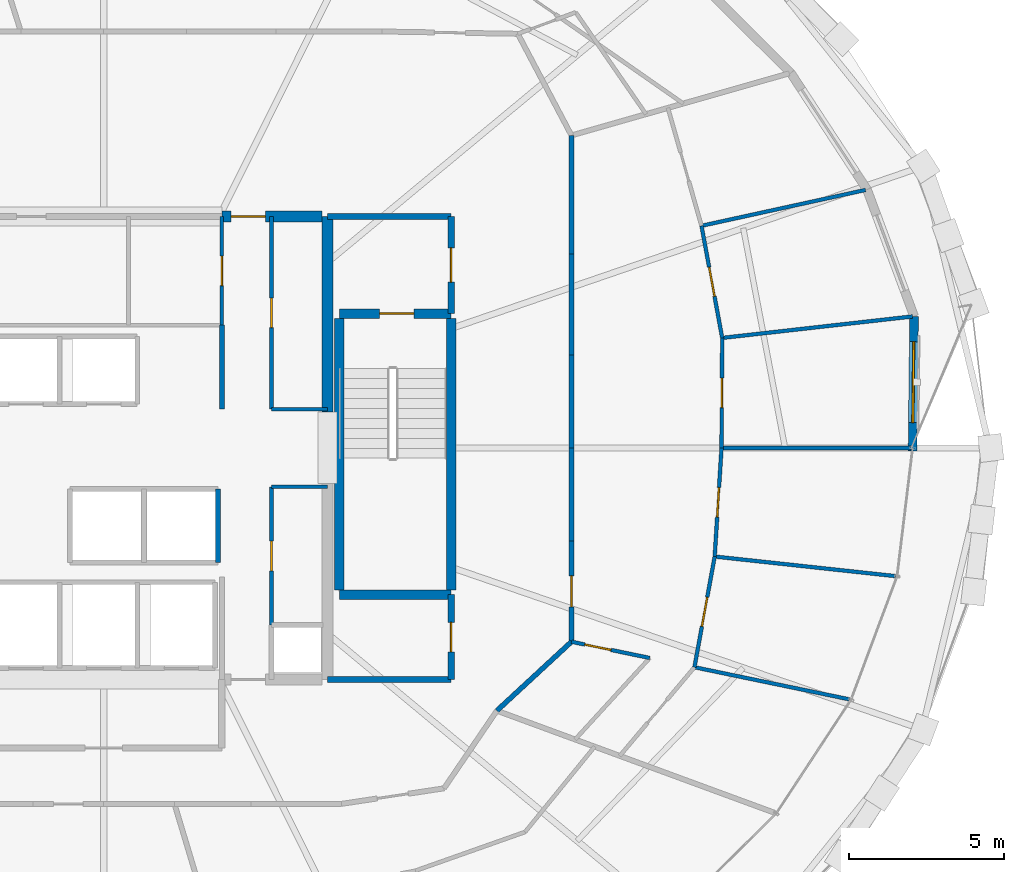
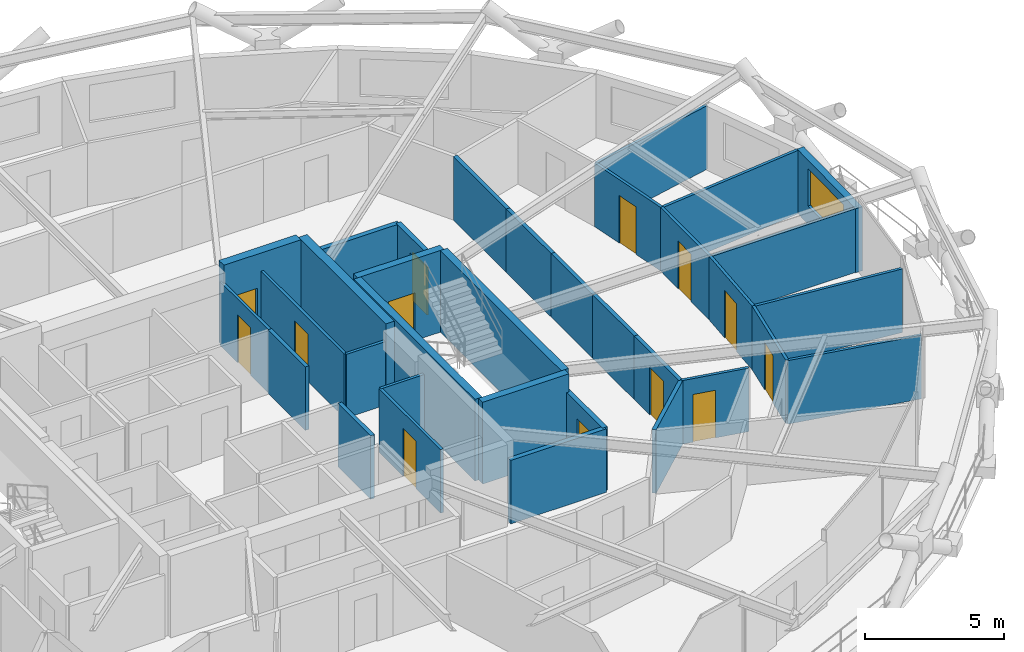
# One storey, part 15 of 20: 34 walls, 13 doors, 1 window, 14 openings.
"""IFC4 building model written with IfcOpenShell, lengths in metres."""

from ifc_helpers import new_model, si_unit, direction, frame, frame_2d, origin, place, context, subcontext, project, spatial, rectangle, extrude, material, layer, layer_set, type_object, element, fill, save


model = new_model("IFC4")

# Units and contexts
model_context = context("Model", 3, precision=1e-05, world=origin(), true_north=direction((0.0, 1.0)))
body_context = subcontext(model_context, "Body", "Model", "MODEL_VIEW")
ifc_project = project(units=[si_unit("LENGTHUNIT", "METRE"), si_unit("AREAUNIT", "SQUARE_METRE"), si_unit("VOLUMEUNIT", "CUBIC_METRE"), si_unit("PLANEANGLEUNIT", "RADIAN"), si_unit("MASSUNIT", "GRAM", prefix="KILO")], contexts=[model_context])

# Site, building, storey
site_placement = place(None, origin())
site = spatial("IfcSite", under=ifc_project, at=site_placement, CompositionType="ELEMENT")
building_placement = place(site_placement, origin())
building = spatial("IfcBuilding", under=site, at=building_placement, Name="Veldorina Hangang Commons", CompositionType="ELEMENT")
storey_placement = place(building_placement, frame((0.0, 0.0, 131.60009765625)))
storey = spatial("IfcBuildingStorey", under=building, at=storey_placement, Name="L33", CompositionType="ELEMENT", Elevation=131.60009765625)

# Wall
ifc_material_1 = material(Name="Concrete C60/75", Category="concrete")
ifc_layer_1 = layer(ifc_material_1, 0.360107421875)
ifc_layer_set_1 = layer_set([ifc_layer_1], Name="Concrete C60/75")
wall_type_1 = type_object("IfcWallType", Name="CW-RC360-C60", PredefinedType="SHEAR", material=ifc_layer_set_1)
wall_1_placement = place(storey_placement, frame((39.199951171875, 25.14990234375, 0.0), z_axis=(0.0, 0.0, 1.0), x_axis=(0.0, 1.0, 0.0)))
element("IfcWall", 1, at=wall_1_placement, inside=storey, type_object=wall_type_1, Name="L33 E north core shear wall", PredefinedType="SHEAR", context=body_context, shape_type="SweptSolid", body=[
    extrude(rectangle(XDim=6.300048828125, YDim=0.360107421875, at=frame_2d((3.14990234375, 0.0))), origin(), (0.0, 0.0, 1.0), 3.599853515625),
])

# Wall, opening, door
wall_2_placement = place(storey_placement, frame((35.800048828125, 31.449951171875, 0.0), z_axis=(0.0, 0.0, 1.0), x_axis=(1.0, 0.0, 0.0)))
wall_2 = element("IfcWall", 2, at=wall_2_placement, inside=storey, type_object=wall_type_1, Name="L33 north-east core shear wall", PredefinedType="SHEAR", context=body_context, shape_type="SweptSolid", body=[
    extrude(rectangle(XDim=3.219970703125, YDim=0.360107421875, at=frame_2d((1.60986328125, 0.0))), origin(), (0.0, 0.0, 1.0), 3.599853515625),
])
opening_1_placement = place(wall_2_placement, frame((0.300048828125, 0.0, 0.0)))
opening_1 = element("IfcOpeningElement", 3, at=opening_1_placement, cuts=wall_2, Name="Opening D-08", PredefinedType="OPENING", context=body_context, shape_type="SweptSolid", body=[
    extrude(rectangle(XDim=1.10009765625, YDim=2.10009765625, at=frame_2d((0.550048828125, 1.050048828125))), frame((0.0, 0.18994140625, 0.0), z_axis=(0.0, -1.0, 0.0), x_axis=(1.0, 0.0, 0.0)), (0.0, 0.0, 1.0), 0.380126953125),
])
ifc_material_2 = material(Name="Steel Fire-Rated Smoke Seal", Category="steel")
door_type_1 = type_object("IfcDoorType", Name="DR-FIRE-1100", OperationType="SINGLE_SWING_RIGHT", PredefinedType="DOOR", material=ifc_material_2)
door_1_placement = place(opening_1_placement, origin())
door_1 = element("IfcDoor", 4, at=door_1_placement, inside=storey, type_object=door_type_1, Name="L33 central lift lobby north corridor door", OperationType="SINGLE_SWING_LEFT", OverallHeight=2.10009765625, OverallWidth=1.10009765625, PredefinedType="DOOR", context=body_context, shape_type="SweptSolid", body=[
    extrude(rectangle(XDim=1.10009765625, YDim=2.10009765625, at=frame_2d((0.550048828125, 1.050048828125))), frame((0.0, 0.02490234375, 0.0), z_axis=(0.0, -1.0, 0.0), x_axis=(1.0, 0.0, 0.0)), (0.0, 0.0, 1.0), 0.050048828125),
])
fill(opening_1, door_1)

# Wall, opening, window
ifc_material_3 = material(Name="Stone Roman Travertine", Category="masonry")
ifc_layer_2 = layer(ifc_material_3, 0.280029296875)
ifc_layer_set_2 = layer_set([ifc_layer_2], Name="Stone Roman Travertine")
wall_type_2 = type_object("IfcWallType", Name="EW-TRAV-280", PredefinedType="STANDARD", material=ifc_layer_set_2)
wall_3_placement = place(storey_placement, frame((58.022705078125, 23.907958984375, 0.0), z_axis=(0.0, 0.0, 1.0), x_axis=(0.011615321034, 0.999932539883, 0.0)))
wall_3 = element("IfcWall", 5, at=wall_3_placement, inside=storey, type_object=wall_type_2, Name="L33 travertine facade wall 00", PredefinedType="STANDARD", context=body_context, shape_type="SweptSolid", body=[
    extrude(rectangle(XDim=4.329833984375, YDim=0.280029296875, at=frame_2d((2.1650390625, 0.0))), origin(), (0.0, 0.0, 1.0), 2.81982421875),
])
opening_2_placement = place(wall_3_placement, frame((0.910888671875, 0.0, 0.800048828125)))
opening_2 = element("IfcOpeningElement", 6, at=opening_2_placement, cuts=wall_3, Name="Opening W-02", PredefinedType="OPENING", context=body_context, shape_type="SweptSolid", body=[
    extrude(rectangle(XDim=2.60009765625, YDim=1.64990234375, at=frame_2d((1.300048828125, 0.824951171875))), frame((0.0, 0.14990234375, 0.0), z_axis=(0.0, -1.0, 0.0), x_axis=(1.0, 0.0, 0.0)), (0.0, 0.0, 1.0), 0.300048828125),
])
ifc_material_4 = material(Name="Glass Low-E Triple IGU", Category="glass")
window_type = type_object("IfcWindowType", Name="WIN-TWR-2600", PartitioningType="SINGLE_PANEL", PredefinedType="WINDOW", material=ifc_material_4)
window_placement = place(opening_2_placement, origin())
window = element("IfcWindow", 7, at=window_placement, inside=storey, type_object=window_type, Name="L33 facade window 00", OverallHeight=1.64990234375, OverallWidth=2.60009765625, PartitioningType="SINGLE_PANEL", PredefinedType="WINDOW", context=body_context, shape_type="SweptSolid", body=[
    extrude(rectangle(XDim=2.60009765625, YDim=1.64990234375, at=frame_2d((1.300048828125, 0.824951171875))), frame((0.0, 0.030029296875, 0.0), z_axis=(0.0, -1.0, 0.0), x_axis=(1.0, 0.0, 0.0)), (0.0, 0.0, 1.0), 0.06005859375),
])
fill(opening_2, window)

# Walls
ifc_material_5 = material(Name="Concrete C50/60", Category="concrete")
ifc_layer_3 = layer(ifc_material_5, 0.300048828125)
ifc_layer_set_3 = layer_set([ifc_layer_3], Name="Concrete C50/60")
wall_type_3 = type_object("IfcWallType", Name="SW-STAIR-300", PredefinedType="SHEAR", material=ifc_layer_set_3)
for number, where, z_axis, x_axis, name in (
    (8, (43.179931640625, 19.429931640625, 0.0), (0.0, 0.0, 1.0), (0.0, 1.0, 0.0), "L33 ST2 outer stair shear wall"),
    (9, (39.580078125, 19.429931640625, 0.0), (0.0, 0.0, 1.0), (0.0, 1.0, 0.0), "L33 ST2 inner stair shear wall"),
):
    element("IfcWall", number, at=place(storey_placement, frame(where, z_axis=z_axis, x_axis=x_axis)), inside=storey, type_object=wall_type_3, Name=name, PredefinedType="SHEAR", context=body_context, shape_type="SweptSolid", body=[
        extrude(rectangle(XDim=8.739990234375, YDim=0.300048828125, at=frame_2d((4.3701171875, 0.0))), origin(), (0.0, 0.0, 1.0), 3.599853515625),
    ])
wall_4_placement = place(storey_placement, frame((39.580078125, 19.280029296875, 0.0), z_axis=(0.0, 0.0, 1.0), x_axis=(1.0, 0.0, 0.0)))
element("IfcWall", 10, at=wall_4_placement, inside=storey, type_object=wall_type_3, Name="L33 ST2 south stair shear wall", PredefinedType="SHEAR", context=body_context, shape_type="SweptSolid", body=[
    extrude(rectangle(XDim=3.599853515625, YDim=0.300048828125, at=frame_2d((1.7998046875, 0.0))), origin(), (0.0, 0.0, 1.0), 3.599853515625),
])

# Wall, opening, door
wall_5_placement = place(storey_placement, frame((39.580078125, 28.320068359375, 0.0), z_axis=(0.0, 0.0, 1.0), x_axis=(1.0, 0.0, 0.0)))
wall_5 = element("IfcWall", 11, at=wall_5_placement, inside=storey, type_object=wall_type_3, Name="L33 ST2 north stair shear wall", PredefinedType="SHEAR", context=body_context, shape_type="SweptSolid", body=[
    extrude(rectangle(XDim=3.599853515625, YDim=0.300048828125, at=frame_2d((1.7998046875, 0.0))), origin(), (0.0, 0.0, 1.0), 3.599853515625),
])
opening_3_placement = place(wall_5_placement, frame((1.300048828125, 0.0, 0.0)))
opening_3 = element("IfcOpeningElement", 12, at=opening_3_placement, cuts=wall_5, Name="Opening D-08", PredefinedType="OPENING", context=body_context, shape_type="SweptSolid", body=[
    extrude(rectangle(XDim=1.10009765625, YDim=2.10009765625, at=frame_2d((0.550048828125, 1.050048828125))), frame((0.0, 0.16015625, 0.0), z_axis=(0.0, -1.0, 0.0), x_axis=(1.0, 0.0, 0.0)), (0.0, 0.0, 1.0), 0.320068359375),
])
door_2_placement = place(opening_3_placement, origin())
door_2 = element("IfcDoor", 13, at=door_2_placement, inside=storey, type_object=door_type_1, Name="L33 Special Escape Stair ST-2 door", OperationType="SINGLE_SWING_RIGHT", OverallHeight=2.10009765625, OverallWidth=1.10009765625, PredefinedType="DOOR", context=body_context, shape_type="SweptSolid", body=[
    extrude(rectangle(XDim=1.10009765625, YDim=2.10009765625, at=frame_2d((0.550048828125, 1.050048828125))), frame((0.0, 0.02490234375, 0.0), z_axis=(0.0, -1.0, 0.0), x_axis=(1.0, 0.0, 0.0)), (0.0, 0.0, 1.0), 0.050048828125),
])
fill(opening_3, door_2)

# Walls
ifc_material_6 = material(Name="Gypsum Fire-Rated Twin Stud Wall", Category="gypsum")
ifc_layer_4 = layer(ifc_material_6, 0.159912109375)
ifc_layer_set_4 = layer_set([ifc_layer_4], Name="Gypsum Fire-Rated Twin Stud Wall")
wall_type_4 = type_object("IfcWallType", Name="WL-FIRE-160", PredefinedType="SOLIDWALL", material=ifc_layer_set_4)
wall_6_placement = place(storey_placement, frame((35.800048828125, 25.25, 0.0), z_axis=(0.0, 0.0, 1.0), x_axis=(0.0, 1.0, 0.0)))
element("IfcWall", 14, at=wall_6_placement, inside=storey, type_object=wall_type_4, Name="L33 Lift passage NW lower wall 011", PredefinedType="SOLIDWALL", context=body_context, shape_type="SweptSolid", body=[
    extrude(rectangle(XDim=2.699951171875, YDim=0.159912109375, at=frame_2d((1.35009765625, 0.0))), origin(), (0.0, 0.0, 1.0), 2.7998046875),
])
wall_7_placement = place(storey_placement, frame((35.679931640625, 20.320068359375, 0.0), z_axis=(0.0, 0.0, 1.0), x_axis=(0.0, 1.0, 0.0)))
element("IfcWall", 15, at=wall_7_placement, inside=storey, type_object=wall_type_4, Name="L33 SL-2 east shaft wall 024", PredefinedType="SOLIDWALL", context=body_context, shape_type="SweptSolid", body=[
    extrude(rectangle(XDim=2.35986328125, YDim=0.159912109375, at=frame_2d((1.179931640625, 0.0))), origin(), (0.0, 0.0, 1.0), 2.7998046875),
])
wall_8_placement = place(storey_placement, frame((47.050048828125, 24.0, 0.0), z_axis=(0.0, 0.0, 1.0), x_axis=(0.0, 1.0, 0.0)))
element("IfcWall", 16, at=wall_8_placement, inside=storey, type_object=wall_type_4, Name="L33 U-corridor outer wall 00 048", PredefinedType="SOLIDWALL", context=body_context, shape_type="SweptSolid", body=[
    extrude(rectangle(XDim=2.99365234375, YDim=0.159912109375, at=frame_2d((1.496826171875, 0.0))), origin(), (0.0, 0.0, 1.0), 2.7998046875),
])
wall_9_placement = place(storey_placement, frame((47.050048828125, 26.99365234375, 0.0), z_axis=(0.0, 0.0, 1.0), x_axis=(0.0, 1.0, 0.0)))
element("IfcWall", 17, at=wall_9_placement, inside=storey, type_object=wall_type_4, Name="L33 U-corridor outer wall 01 049", PredefinedType="SOLIDWALL", context=body_context, shape_type="SweptSolid", body=[
    extrude(rectangle(XDim=3.240234375, YDim=0.159912109375, at=frame_2d((1.6201171875, 0.0))), origin(), (0.0, 0.0, 1.0), 2.7998046875),
])
wall_10_placement = place(storey_placement, frame((47.050048828125, 30.23388671875, 0.0), z_axis=(0.0, 0.0, 1.0), x_axis=(0.0, 1.0, 0.0)))
element("IfcWall", 18, at=wall_10_placement, inside=storey, type_object=wall_type_4, Name="L33 U-corridor outer wall 02 050", PredefinedType="SOLIDWALL", context=body_context, shape_type="SweptSolid", body=[
    extrude(rectangle(XDim=3.822265625, YDim=0.159912109375, at=frame_2d((1.9111328125, 0.0))), origin(), (0.0, 0.0, 1.0), 2.7998046875),
])
wall_11_placement = place(storey_placement, frame((44.64990234375, 15.547607421875, 0.0), z_axis=(0.0, 0.0, 1.0), x_axis=(0.734347936521, 0.678773237633, 0.0)))
element("IfcWall", 19, at=wall_11_placement, inside=storey, type_object=wall_type_4, Name="L33 U-corridor outer wall 29 077", PredefinedType="SOLIDWALL", context=body_context, shape_type="SweptSolid", body=[
    extrude(rectangle(XDim=3.268310546875, YDim=0.159912109375, at=frame_2d((1.63427734375, 0.0))), origin(), (0.0, 0.0, 1.0), 2.7998046875),
])

# Wall, opening, door
wall_12_placement = place(storey_placement, frame((47.050048828125, 17.76611328125, 0.0), z_axis=(0.0, 0.0, 1.0), x_axis=(0.0, 1.0, 0.0)))
wall_12 = element("IfcWall", 20, at=wall_12_placement, inside=storey, type_object=wall_type_4, Name="L33 U-corridor outer wall 30 078", PredefinedType="SOLIDWALL", context=body_context, shape_type="SweptSolid", body=[
    extrude(rectangle(XDim=3.240234375, YDim=0.159912109375, at=frame_2d((1.6201171875, 0.0))), origin(), (0.0, 0.0, 1.0), 2.7998046875),
])
opening_4_placement = place(wall_12_placement, frame((1.1201171875, 0.0, 0.0)))
opening_4 = element("IfcOpeningElement", 21, at=opening_4_placement, cuts=wall_12, Name="Opening D-06", PredefinedType="OPENING", context=body_context, shape_type="SweptSolid", body=[
    extrude(rectangle(XDim=1.0, YDim=2.10009765625, at=frame_2d((0.5, 1.050048828125))), frame((0.0, 0.08984375, 0.0), z_axis=(0.0, -1.0, 0.0), x_axis=(1.0, 0.0, 0.0)), (0.0, 0.0, 1.0), 0.179931640625),
])
ifc_material_7 = material(Name="Timber Fire-Rated Entrance Core", Category="wood")
door_type_2 = type_object("IfcDoorType", Name="DR-UNIT-1000", OperationType="SINGLE_SWING_LEFT", PredefinedType="DOOR", material=ifc_material_7)
door_3_placement = place(opening_4_placement, origin())
door_3 = element("IfcDoor", 22, at=door_3_placement, inside=storey, type_object=door_type_2, Name="L33 Cluster 2 entrance door 023", OperationType="SINGLE_SWING_LEFT", OverallHeight=2.10009765625, OverallWidth=1.0, PredefinedType="DOOR", context=body_context, shape_type="SweptSolid", body=[
    extrude(rectangle(XDim=1.0, YDim=2.10009765625, at=frame_2d((0.5, 1.050048828125))), frame((0.0, 0.02490234375, 0.0), z_axis=(0.0, -1.0, 0.0), x_axis=(1.0, 0.0, 0.0)), (0.0, 0.0, 1.0), 0.050048828125),
])
fill(opening_4, door_3)

# Wall
wall_13_placement = place(storey_placement, frame((47.050048828125, 21.00634765625, 0.0), z_axis=(0.0, 0.0, 1.0), x_axis=(0.0, 1.0, 0.0)))
element("IfcWall", 23, at=wall_13_placement, inside=storey, type_object=wall_type_4, Name="L33 U-corridor outer wall 31 079", PredefinedType="SOLIDWALL", context=body_context, shape_type="SweptSolid", body=[
    extrude(rectangle(XDim=2.99365234375, YDim=0.159912109375, at=frame_2d((1.496826171875, 0.0))), origin(), (0.0, 0.0, 1.0), 2.7998046875),
])

# Wall, opening, door
ifc_material_8 = material(Name="Concrete Blockwork Fire Wall C30/37", Category="masonry")
ifc_layer_5 = layer(ifc_material_8, 0.199951171875)
ifc_layer_set_5 = layer_set([ifc_layer_5], Name="Concrete Blockwork Fire Wall C30/37")
wall_type_5 = type_object("IfcWallType", Name="WL-FIRE-200", PredefinedType="SOLIDWALL", material=ifc_layer_set_5)
wall_14_placement = place(storey_placement, frame((43.179931640625, 28.320068359375, 0.0), z_axis=(0.0, 0.0, 1.0), x_axis=(0.0, 1.0, 0.0)))
wall_14 = element("IfcWall", 24, at=wall_14_placement, inside=storey, type_object=wall_type_5, Name="L33 East vestibule outer wall 003", PredefinedType="SOLIDWALL", context=body_context, shape_type="SweptSolid", body=[
    extrude(rectangle(XDim=3.1298828125, YDim=0.199951171875, at=frame_2d((1.56494140625, 0.0))), origin(), (0.0, 0.0, 1.0), 2.7998046875),
])
opening_5_placement = place(wall_14_placement, frame((1.014892578125, 0.0, 0.0)))
opening_5 = element("IfcOpeningElement", 25, at=opening_5_placement, cuts=wall_14, Name="Opening D-08", PredefinedType="OPENING", context=body_context, shape_type="SweptSolid", body=[
    extrude(rectangle(XDim=1.10009765625, YDim=2.10009765625, at=frame_2d((0.550048828125, 1.050048828125))), frame((0.0, 0.10986328125, 0.0), z_axis=(0.0, -1.0, 0.0), x_axis=(1.0, 0.0, 0.0)), (0.0, 0.0, 1.0), 0.219970703125),
])
door_4_placement = place(opening_5_placement, origin())
door_4 = element("IfcDoor", 26, at=door_4_placement, inside=storey, type_object=door_type_1, Name="L33 East vestibule east door 002", OperationType="SINGLE_SWING_RIGHT", OverallHeight=2.10009765625, OverallWidth=1.10009765625, PredefinedType="DOOR", context=body_context, shape_type="SweptSolid", body=[
    extrude(rectangle(XDim=1.10009765625, YDim=2.10009765625, at=frame_2d((0.550048828125, 1.050048828125))), frame((0.0, 0.02490234375, 0.0), z_axis=(0.0, -1.0, 0.0), x_axis=(1.0, 0.0, 0.0)), (0.0, 0.0, 1.0), 0.050048828125),
])
fill(opening_5, door_4)

# Wall
wall_15_placement = place(storey_placement, frame((39.199951171875, 31.449951171875, 0.0), z_axis=(0.0, 0.0, 1.0), x_axis=(1.0, 0.0, 0.0)))
element("IfcWall", 27, at=wall_15_placement, inside=storey, type_object=wall_type_5, Name="L33 East vestibule north wall 004", PredefinedType="SOLIDWALL", context=body_context, shape_type="SweptSolid", body=[
    extrude(rectangle(XDim=3.97998046875, YDim=0.199951171875, at=frame_2d((1.989990234375, 0.0))), origin(), (0.0, 0.0, 1.0), 2.7998046875),
])

# Wall, opening, door
wall_16_placement = place(storey_placement, frame((43.179931640625, 16.550048828125, 0.0), z_axis=(0.0, 0.0, 1.0), x_axis=(0.0, 1.0, 0.0)))
wall_16 = element("IfcWall", 28, at=wall_16_placement, inside=storey, type_object=wall_type_5, Name="L33 SE core room outer wall 007", PredefinedType="SOLIDWALL", context=body_context, shape_type="SweptSolid", body=[
    extrude(rectangle(XDim=2.72998046875, YDim=0.199951171875, at=frame_2d((1.364990234375, 0.0))), origin(), (0.0, 0.0, 1.0), 2.7998046875),
])
opening_6_placement = place(wall_16_placement, frame((0.889892578125, 0.0, 0.0)))
opening_6 = element("IfcOpeningElement", 29, at=opening_6_placement, cuts=wall_16, Name="Opening D-02", PredefinedType="OPENING", context=body_context, shape_type="SweptSolid", body=[
    extrude(rectangle(XDim=0.949951171875, YDim=2.10009765625, at=frame_2d((0.47509765625, 1.050048828125))), frame((0.0, 0.10986328125, 0.0), z_axis=(0.0, -1.0, 0.0), x_axis=(1.0, 0.0, 0.0)), (0.0, 0.0, 1.0), 0.219970703125),
])
ifc_material_9 = material(Name="Timber Solid Core Acoustic", Category="wood")
door_type_3 = type_object("IfcDoorType", Name="DR-INT-950", OperationType="SINGLE_SWING_LEFT", PredefinedType="DOOR", material=ifc_material_9)
door_5_placement = place(opening_6_placement, origin())
door_5 = element("IfcDoor", 30, at=door_5_placement, inside=storey, type_object=door_type_3, Name="L33 SE core WC door 004", OperationType="SINGLE_SWING_RIGHT", OverallHeight=2.10009765625, OverallWidth=0.949951171875, PredefinedType="DOOR", context=body_context, shape_type="SweptSolid", body=[
    extrude(rectangle(XDim=0.949951171875, YDim=2.10009765625, at=frame_2d((0.47509765625, 1.050048828125))), frame((0.0, 0.02490234375, 0.0), z_axis=(0.0, -1.0, 0.0), x_axis=(1.0, 0.0, 0.0)), (0.0, 0.0, 1.0), 0.050048828125),
])
fill(opening_6, door_5)

# Wall
wall_17_placement = place(storey_placement, frame((39.199951171875, 16.550048828125, 0.0), z_axis=(0.0, 0.0, 1.0), x_axis=(1.0, 0.0, 0.0)))
element("IfcWall", 31, at=wall_17_placement, inside=storey, type_object=wall_type_5, Name="L33 SE core room south wall 008", PredefinedType="SOLIDWALL", context=body_context, shape_type="SweptSolid", body=[
    extrude(rectangle(XDim=3.97998046875, YDim=0.199951171875, at=frame_2d((1.989990234375, 0.0))), origin(), (0.0, 0.0, 1.0), 2.7998046875),
])

# Wall, opening, door
ifc_material_10 = material(Name="Gypsum Acoustic Stud Partition", Category="gypsum")
ifc_layer_6 = layer(ifc_material_10, 0.1201171875)
ifc_layer_set_6 = layer_set([ifc_layer_6], Name="Gypsum Acoustic Stud Partition")
wall_type_6 = type_object("IfcWallType", Name="WL-PART-120", PredefinedType="PARTITIONING", material=ifc_layer_set_6)
wall_18_placement = place(storey_placement, frame((35.800048828125, 27.949951171875, 0.0), z_axis=(0.0, 0.0, 1.0), x_axis=(0.0, 1.0, 0.0)))
wall_18 = element("IfcWall", 32, at=wall_18_placement, inside=storey, type_object=wall_type_6, Name="L33 Merged north east wall 033", PredefinedType="PARTITIONING", context=body_context, shape_type="SweptSolid", body=[
    extrude(rectangle(XDim=3.5, YDim=0.1201171875, at=frame_2d((1.75, 0.0))), origin(), (0.0, 0.0, 1.0), 2.7998046875),
])
opening_7_placement = place(wall_18_placement, frame((1.27490234375, 0.0, 0.0)))
opening_7 = element("IfcOpeningElement", 33, at=opening_7_placement, cuts=wall_18, Name="Opening D-02", PredefinedType="OPENING", context=body_context, shape_type="SweptSolid", body=[
    extrude(rectangle(XDim=0.949951171875, YDim=2.10009765625, at=frame_2d((0.47509765625, 1.050048828125))), frame((0.0, 0.070068359375, 0.0), z_axis=(0.0, -1.0, 0.0), x_axis=(1.0, 0.0, 0.0)), (0.0, 0.0, 1.0), 0.14013671875),
])
door_6_placement = place(opening_7_placement, origin())
door_6 = element("IfcDoor", 34, at=door_6_placement, inside=storey, type_object=door_type_3, Name="L33 Core linen store door 012", OperationType="SINGLE_SWING_RIGHT", OverallHeight=2.10009765625, OverallWidth=0.949951171875, PredefinedType="DOOR", context=body_context, shape_type="SweptSolid", body=[
    extrude(rectangle(XDim=0.949951171875, YDim=2.10009765625, at=frame_2d((0.47509765625, 1.050048828125))), frame((0.0, 0.02490234375, 0.0), z_axis=(0.0, -1.0, 0.0), x_axis=(1.0, 0.0, 0.0)), (0.0, 0.0, 1.0), 0.050048828125),
])
fill(opening_7, door_6)

wall_19_placement = place(storey_placement, frame((37.39990234375, 25.25, 0.0), z_axis=(0.0, 0.0, 1.0), x_axis=(0.0, 1.0, 0.0)))
wall_19 = element("IfcWall", 35, at=wall_19_placement, inside=storey, type_object=wall_type_6, Name="L33 NE strip lobby wall 041", PredefinedType="PARTITIONING", context=body_context, shape_type="SweptSolid", body=[
    extrude(rectangle(XDim=6.199951171875, YDim=0.1201171875, at=frame_2d((3.10009765625, 0.0))), origin(), (0.0, 0.0, 1.0), 2.7998046875),
])
opening_8_placement = place(wall_19_placement, frame((2.625, 0.0, 0.0)))
opening_8 = element("IfcOpeningElement", 36, at=opening_8_placement, cuts=wall_19, Name="Opening D-02", PredefinedType="OPENING", context=body_context, shape_type="SweptSolid", body=[
    extrude(rectangle(XDim=0.949951171875, YDim=2.10009765625, at=frame_2d((0.47509765625, 1.050048828125))), frame((0.0, 0.070068359375, 0.0), z_axis=(0.0, -1.0, 0.0), x_axis=(1.0, 0.0, 0.0)), (0.0, 0.0, 1.0), 0.14013671875),
])
door_7_placement = place(opening_8_placement, origin())
door_7 = element("IfcDoor", 37, at=door_7_placement, inside=storey, type_object=door_type_3, Name="L33 Switchboard door 018", OperationType="SINGLE_SWING_RIGHT", OverallHeight=2.10009765625, OverallWidth=0.949951171875, PredefinedType="DOOR", context=body_context, shape_type="SweptSolid", body=[
    extrude(rectangle(XDim=0.949951171875, YDim=2.10009765625, at=frame_2d((0.47509765625, 1.050048828125))), frame((0.0, 0.02490234375, 0.0), z_axis=(0.0, -1.0, 0.0), x_axis=(1.0, 0.0, 0.0)), (0.0, 0.0, 1.0), 0.050048828125),
])
fill(opening_8, door_7)

# Wall
wall_20_placement = place(storey_placement, frame((37.39990234375, 25.25, 0.0), z_axis=(0.0, 0.0, 1.0), x_axis=(1.0, 0.0, 0.0)))
element("IfcWall", 38, at=wall_20_placement, inside=storey, type_object=wall_type_6, Name="L33 NE strip south return wall 042", PredefinedType="PARTITIONING", context=body_context, shape_type="SweptSolid", body=[
    extrude(rectangle(XDim=1.800048828125, YDim=0.1201171875, at=frame_2d((0.89990234375, 0.0))), origin(), (0.0, 0.0, 1.0), 2.7998046875),
])

# Wall, opening, door
wall_21_placement = place(storey_placement, frame((37.39990234375, 18.300048828125, 0.0), z_axis=(0.0, 0.0, 1.0), x_axis=(0.0, 1.0, 0.0)))
wall_21 = element("IfcWall", 39, at=wall_21_placement, inside=storey, type_object=wall_type_6, Name="L33 SE strip lobby wall 043", PredefinedType="PARTITIONING", context=body_context, shape_type="SweptSolid", body=[
    extrude(rectangle(XDim=4.449951171875, YDim=0.1201171875, at=frame_2d((2.22509765625, 0.0))), origin(), (0.0, 0.0, 1.0), 2.7998046875),
])
opening_9_placement = place(wall_21_placement, frame((1.75, 0.0, 0.0)))
opening_9 = element("IfcOpeningElement", 40, at=opening_9_placement, cuts=wall_21, Name="Opening D-02", PredefinedType="OPENING", context=body_context, shape_type="SweptSolid", body=[
    extrude(rectangle(XDim=0.949951171875, YDim=2.10009765625, at=frame_2d((0.47509765625, 1.050048828125))), frame((0.0, 0.070068359375, 0.0), z_axis=(0.0, -1.0, 0.0), x_axis=(1.0, 0.0, 0.0)), (0.0, 0.0, 1.0), 0.14013671875),
])
door_8_placement = place(opening_9_placement, origin())
door_8 = element("IfcDoor", 41, at=door_8_placement, inside=storey, type_object=door_type_3, Name="L33 Telemetry door 019", OperationType="SINGLE_SWING_LEFT", OverallHeight=2.10009765625, OverallWidth=0.949951171875, PredefinedType="DOOR", context=body_context, shape_type="SweptSolid", body=[
    extrude(rectangle(XDim=0.949951171875, YDim=2.10009765625, at=frame_2d((0.47509765625, 1.050048828125))), frame((0.0, 0.02490234375, 0.0), z_axis=(0.0, -1.0, 0.0), x_axis=(1.0, 0.0, 0.0)), (0.0, 0.0, 1.0), 0.050048828125),
])
fill(opening_9, door_8)

# Wall
wall_22_placement = place(storey_placement, frame((37.39990234375, 22.75, 0.0), z_axis=(0.0, 0.0, 1.0), x_axis=(1.0, 0.0, 0.0)))
element("IfcWall", 42, at=wall_22_placement, inside=storey, type_object=wall_type_6, Name="L33 SE strip north return wall 044", PredefinedType="PARTITIONING", context=body_context, shape_type="SweptSolid", body=[
    extrude(rectangle(XDim=1.800048828125, YDim=0.1201171875, at=frame_2d((0.89990234375, 0.0))), origin(), (0.0, 0.0, 1.0), 2.7998046875),
])

# Wall, opening, door
wall_23_placement = place(storey_placement, frame((47.050048828125, 17.76611328125, 0.0), z_axis=(0.0, 0.0, 1.0), x_axis=(0.979183706755, -0.202976029188, 0.0)))
wall_23 = element("IfcWall", 43, at=wall_23_placement, inside=storey, type_object=wall_type_6, Name="L33 Cluster 2 bath side wall 087", PredefinedType="PARTITIONING", context=body_context, shape_type="SweptSolid", body=[
    extrude(rectangle(XDim=2.571533203125, YDim=0.1201171875, at=frame_2d((1.28564453125, 0.0))), origin(), (0.0, 0.0, 1.0), 2.7998046875),
])
opening_10_placement = place(wall_23_placement, frame((0.43994140625, 0.0, 0.0)))
opening_10 = element("IfcOpeningElement", 44, at=opening_10_placement, cuts=wall_23, Name="Opening D-01", PredefinedType="OPENING", context=body_context, shape_type="SweptSolid", body=[
    extrude(rectangle(XDim=0.860107421875, YDim=2.10009765625, at=frame_2d((0.43017578125, 1.050048828125))), frame((0.0, 0.070068359375, 0.0), z_axis=(0.0, -1.0, 0.0), x_axis=(1.0, 0.0, 0.0)), (0.0, 0.0, 1.0), 0.14013671875),
])
ifc_material_11 = material(Name="Timber Moisture-Resistant Core", Category="wood")
door_type_4 = type_object("IfcDoorType", Name="DR-WET-860", OperationType="SINGLE_SWING_LEFT", PredefinedType="DOOR", material=ifc_material_11)
door_9_placement = place(opening_10_placement, origin())
door_9 = element("IfcDoor", 45, at=door_9_placement, inside=storey, type_object=door_type_4, Name="L33 Cluster 2 shared bathroom door 022", OperationType="SINGLE_SWING_RIGHT", OverallHeight=2.10009765625, OverallWidth=0.860107421875, PredefinedType="DOOR", context=body_context, shape_type="SweptSolid", body=[
    extrude(rectangle(XDim=0.860107421875, YDim=2.10009765625, at=frame_2d((0.43017578125, 1.050048828125))), frame((0.0, 0.02490234375, 0.0), z_axis=(0.0, -1.0, 0.0), x_axis=(1.0, 0.0, 0.0)), (0.0, 0.0, 1.0), 0.050048828125),
])
fill(opening_10, door_9)

wall_24_placement = place(storey_placement, frame((51.0068359375, 16.946044921875, 0.0), z_axis=(0.0, 0.0, 1.0), x_axis=(0.179995103125, 0.983667506249, 0.0)))
wall_24 = element("IfcWall", 46, at=wall_24_placement, inside=storey, type_object=wall_type_6, Name="L33 Cluster 2 bed 2 front wall 089", PredefinedType="PARTITIONING", context=body_context, shape_type="SweptSolid", body=[
    extrude(rectangle(XDim=3.6201171875, YDim=0.1201171875, at=frame_2d((1.81005859375, 0.0))), origin(), (0.0, 0.0, 1.0), 2.7998046875),
])
opening_11_placement = place(wall_24_placement, frame((1.335205078125, 0.0, 0.0)))
opening_11 = element("IfcOpeningElement", 47, at=opening_11_placement, cuts=wall_24, Name="Opening D-02", PredefinedType="OPENING", context=body_context, shape_type="SweptSolid", body=[
    extrude(rectangle(XDim=0.949951171875, YDim=2.10009765625, at=frame_2d((0.47509765625, 1.050048828125))), frame((0.0, 0.070068359375, 0.0), z_axis=(0.0, -1.0, 0.0), x_axis=(1.0, 0.0, 0.0)), (0.0, 0.0, 1.0), 0.14013671875),
])
door_10_placement = place(opening_11_placement, origin())
door_10 = element("IfcDoor", 48, at=door_10_placement, inside=storey, type_object=door_type_3, Name="L33 Cluster 2 bed 2 door 025", OperationType="SINGLE_SWING_LEFT", OverallHeight=2.10009765625, OverallWidth=0.949951171875, PredefinedType="DOOR", context=body_context, shape_type="SweptSolid", body=[
    extrude(rectangle(XDim=0.949951171875, YDim=2.10009765625, at=frame_2d((0.47509765625, 1.050048828125))), frame((0.0, 0.02490234375, 0.0), z_axis=(0.0, -1.0, 0.0), x_axis=(1.0, 0.0, 0.0)), (0.0, 0.0, 1.0), 0.050048828125),
])
fill(opening_11, door_10)

# Wall
wall_25_placement = place(storey_placement, frame((51.0068359375, 16.946044921875, 0.0), z_axis=(0.0, 0.0, 1.0), x_axis=(0.979186893487, -0.202960655359, 0.0)))
element("IfcWall", 49, at=wall_25_placement, inside=storey, type_object=wall_type_6, Name="L33 Cluster 2 bed divider 1 090", PredefinedType="PARTITIONING", context=body_context, shape_type="SweptSolid", body=[
    extrude(rectangle(XDim=5.093017578125, YDim=0.1201171875, at=frame_2d((2.54638671875, 0.0))), origin(), (0.0, 0.0, 1.0), 2.7998046875),
])

# Wall, opening, door
wall_26_placement = place(storey_placement, frame((51.658447265625, 20.507080078125, 0.0), z_axis=(0.0, 0.0, 1.0), x_axis=(0.062851654095, 0.998022880288, 0.0)))
wall_26 = element("IfcWall", 50, at=wall_26_placement, inside=storey, type_object=wall_type_6, Name="L33 Cluster 2 bed 3 front wall 091", PredefinedType="PARTITIONING", context=body_context, shape_type="SweptSolid", body=[
    extrude(rectangle(XDim=3.499755859375, YDim=0.1201171875, at=frame_2d((1.75, 0.0))), origin(), (0.0, 0.0, 1.0), 2.7998046875),
])
opening_12_placement = place(wall_26_placement, frame((1.27490234375, 0.0, 0.0)))
opening_12 = element("IfcOpeningElement", 51, at=opening_12_placement, cuts=wall_26, Name="Opening D-02", PredefinedType="OPENING", context=body_context, shape_type="SweptSolid", body=[
    extrude(rectangle(XDim=0.949951171875, YDim=2.10009765625, at=frame_2d((0.47509765625, 1.050048828125))), frame((0.0, 0.070068359375, 0.0), z_axis=(0.0, -1.0, 0.0), x_axis=(1.0, 0.0, 0.0)), (0.0, 0.0, 1.0), 0.14013671875),
])
door_11_placement = place(opening_12_placement, origin())
door_11 = element("IfcDoor", 52, at=door_11_placement, inside=storey, type_object=door_type_3, Name="L33 Cluster 2 bed 3 door 026", OperationType="SINGLE_SWING_RIGHT", OverallHeight=2.10009765625, OverallWidth=0.949951171875, PredefinedType="DOOR", context=body_context, shape_type="SweptSolid", body=[
    extrude(rectangle(XDim=0.949951171875, YDim=2.10009765625, at=frame_2d((0.47509765625, 1.050048828125))), frame((0.0, 0.02490234375, 0.0), z_axis=(0.0, -1.0, 0.0), x_axis=(1.0, 0.0, 0.0)), (0.0, 0.0, 1.0), 0.050048828125),
])
fill(opening_12, door_11)

# Wall
wall_27_placement = place(storey_placement, frame((51.658447265625, 20.507080078125, 0.0), z_axis=(0.0, 0.0, 1.0), x_axis=(0.994185813814, -0.107678073953, 0.0)))
element("IfcWall", 53, at=wall_27_placement, inside=storey, type_object=wall_type_6, Name="L33 Cluster 2 bed divider 2 092", PredefinedType="PARTITIONING", context=body_context, shape_type="SweptSolid", body=[
    extrude(rectangle(XDim=5.849609375, YDim=0.1201171875, at=frame_2d((2.9248046875, 0.0))), origin(), (0.0, 0.0, 1.0), 2.7998046875),
])

# Wall, opening, door
wall_28_placement = place(storey_placement, frame((51.87841796875, 24.0, 0.0), z_axis=(0.0, 0.0, 1.0), x_axis=(0.006136122757, 0.999981173822, 0.0)))
wall_28 = element("IfcWall", 54, at=wall_28_placement, inside=storey, type_object=wall_type_6, Name="L33 Cluster 2 bed 4 front wall 093", PredefinedType="PARTITIONING", context=body_context, shape_type="SweptSolid", body=[
    extrude(rectangle(XDim=3.541015625, YDim=0.1201171875, at=frame_2d((1.7705078125, 0.0))), origin(), (0.0, 0.0, 1.0), 2.7998046875),
])
opening_13_placement = place(wall_28_placement, frame((1.29541015625, 0.0, 0.0)))
opening_13 = element("IfcOpeningElement", 55, at=opening_13_placement, cuts=wall_28, Name="Opening D-02", PredefinedType="OPENING", context=body_context, shape_type="SweptSolid", body=[
    extrude(rectangle(XDim=0.949951171875, YDim=2.10009765625, at=frame_2d((0.47509765625, 1.050048828125))), frame((0.0, 0.070068359375, 0.0), z_axis=(0.0, -1.0, 0.0), x_axis=(1.0, 0.0, 0.0)), (0.0, 0.0, 1.0), 0.14013671875),
])
door_12_placement = place(opening_13_placement, origin())
door_12 = element("IfcDoor", 56, at=door_12_placement, inside=storey, type_object=door_type_3, Name="L33 Cluster 2 bed 4 door 027", OperationType="SINGLE_SWING_LEFT", OverallHeight=2.10009765625, OverallWidth=0.949951171875, PredefinedType="DOOR", context=body_context, shape_type="SweptSolid", body=[
    extrude(rectangle(XDim=0.949951171875, YDim=2.10009765625, at=frame_2d((0.47509765625, 1.050048828125))), frame((0.0, 0.02490234375, 0.0), z_axis=(0.0, -1.0, 0.0), x_axis=(1.0, 0.0, 0.0)), (0.0, 0.0, 1.0), 0.050048828125),
])
fill(opening_13, door_12)

# Wall
wall_29_placement = place(storey_placement, frame((51.87841796875, 24.0, 0.0), z_axis=(0.0, 0.0, 1.0), x_axis=(1.0, 0.0, 0.0)))
element("IfcWall", 57, at=wall_29_placement, inside=storey, type_object=wall_type_6, Name="L33 Cluster 2 bed divider 3 094", PredefinedType="PARTITIONING", context=body_context, shape_type="SweptSolid", body=[
    extrude(rectangle(XDim=6.09521484375, YDim=0.1201171875, at=frame_2d((3.047607421875, 0.0))), origin(), (0.0, 0.0, 1.0), 2.7998046875),
])

# Wall, opening, door
wall_30_placement = place(storey_placement, frame((51.900146484375, 27.541015625, 0.0), z_axis=(0.0, 0.0, 1.0), x_axis=(-0.181502919565, 0.983390405785, 0.0)))
wall_30 = element("IfcWall", 58, at=wall_30_placement, inside=storey, type_object=wall_type_6, Name="L33 Cluster 2 bed 5 front wall 095", PredefinedType="PARTITIONING", context=body_context, shape_type="SweptSolid", body=[
    extrude(rectangle(XDim=3.668212890625, YDim=0.1201171875, at=frame_2d((1.833984375, 0.0))), origin(), (0.0, 0.0, 1.0), 2.7998046875),
])
opening_14_placement = place(wall_30_placement, frame((1.359130859375, 0.0, 0.0)))
opening_14 = element("IfcOpeningElement", 59, at=opening_14_placement, cuts=wall_30, Name="Opening D-02", PredefinedType="OPENING", context=body_context, shape_type="SweptSolid", body=[
    extrude(rectangle(XDim=0.949951171875, YDim=2.10009765625, at=frame_2d((0.47509765625, 1.050048828125))), frame((0.0, 0.070068359375, 0.0), z_axis=(0.0, -1.0, 0.0), x_axis=(1.0, 0.0, 0.0)), (0.0, 0.0, 1.0), 0.14013671875),
])
door_13_placement = place(opening_14_placement, origin())
door_13 = element("IfcDoor", 60, at=door_13_placement, inside=storey, type_object=door_type_3, Name="L33 Cluster 2 bed 5 door 028", OperationType="SINGLE_SWING_RIGHT", OverallHeight=2.10009765625, OverallWidth=0.949951171875, PredefinedType="DOOR", context=body_context, shape_type="SweptSolid", body=[
    extrude(rectangle(XDim=0.949951171875, YDim=2.10009765625, at=frame_2d((0.47509765625, 1.050048828125))), frame((0.0, 0.02490234375, 0.0), z_axis=(0.0, -1.0, 0.0), x_axis=(1.0, 0.0, 0.0)), (0.0, 0.0, 1.0), 0.050048828125),
])
fill(opening_14, door_13)

# Walls
wall_31_placement = place(storey_placement, frame((51.900146484375, 27.541015625, 0.0), z_axis=(0.0, 0.0, 1.0), x_axis=(0.993693846481, 0.112127335947, 0.0)))
element("IfcWall", 61, at=wall_31_placement, inside=storey, type_object=wall_type_6, Name="L33 Cluster 2 bed divider 4 096", PredefinedType="PARTITIONING", context=body_context, shape_type="SweptSolid", body=[
    extrude(rectangle(XDim=6.161865234375, YDim=0.1201171875, at=frame_2d((3.0810546875, 0.0))), origin(), (0.0, 0.0, 1.0), 2.7998046875),
])
wall_32_placement = place(storey_placement, frame((51.234375, 31.148193359375, 0.0), z_axis=(0.0, 0.0, 1.0), x_axis=(0.976938334756, 0.213521638447, 0.0)))
element("IfcWall", 62, at=wall_32_placement, inside=storey, type_object=wall_type_6, Name="L33 Cluster 2 bed divider 5 098", PredefinedType="PARTITIONING", context=body_context, shape_type="SweptSolid", body=[
    extrude(rectangle(XDim=5.4013671875, YDim=0.1201171875, at=frame_2d((2.70068359375, 0.0))), origin(), (0.0, 0.0, 1.0), 2.7998046875),
])

save(model, "model.ifc")
